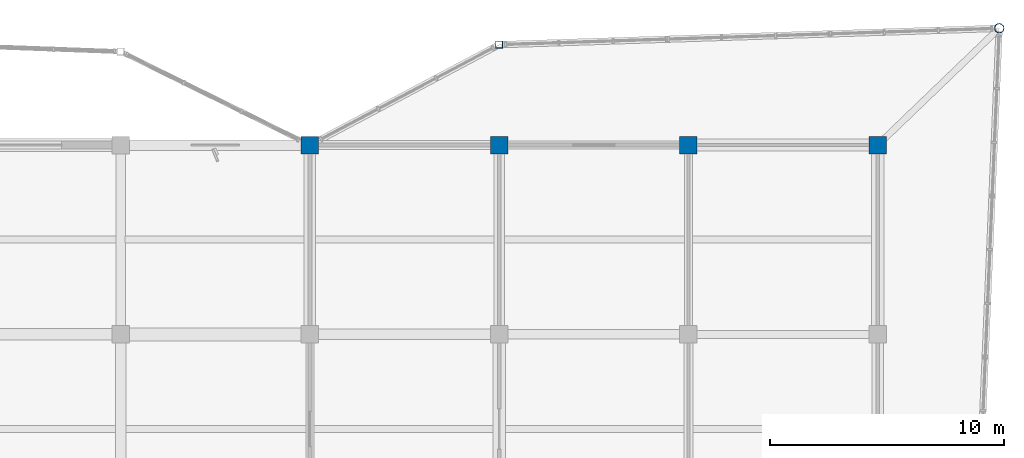
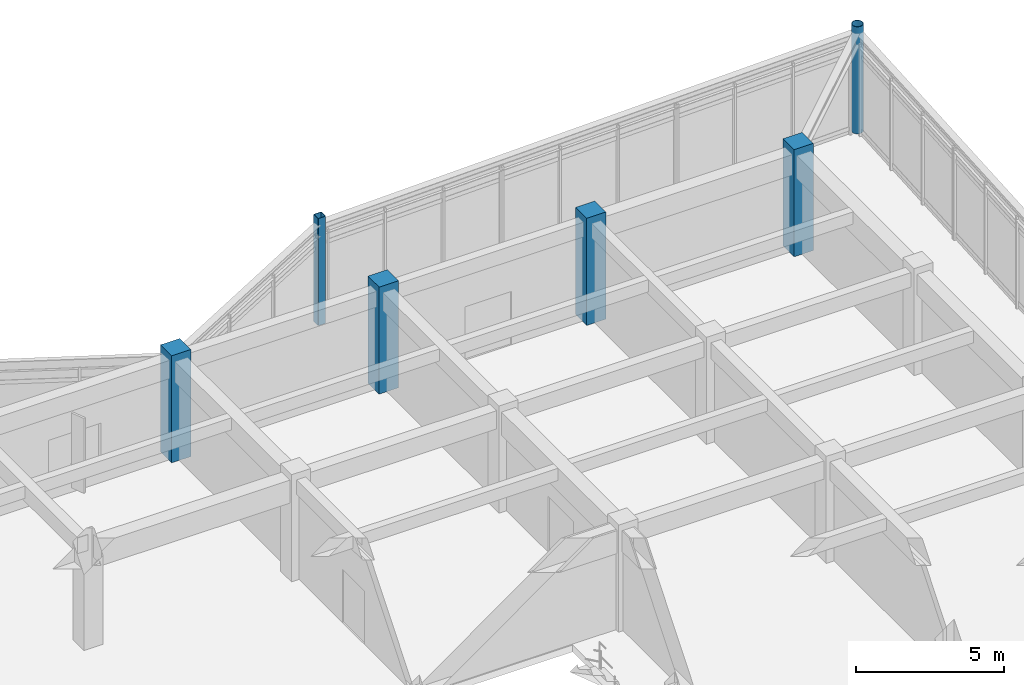
# One storey, part 20 of 89: 6 columns.
"""IFC4 building model written with IfcOpenShell, lengths in metres."""

from ifc_helpers import new_model, si_unit, direction, frame, origin, origin_2d, place, context, subcontext, project, spatial, rectangle, hollow_rectangle, hollow_circle, extrude, material, material_profile, profile_set, type_object, element, save


model = new_model("IFC4")

# Units and contexts
model_context = context("Model", 3, precision=1e-05, world=origin(), true_north=direction((0.0, 1.0)))
body_context = subcontext(model_context, "Body", "Model", "MODEL_VIEW")
ifc_project = project(units=[si_unit("LENGTHUNIT", "METRE"), si_unit("AREAUNIT", "SQUARE_METRE"), si_unit("VOLUMEUNIT", "CUBIC_METRE"), si_unit("PLANEANGLEUNIT", "RADIAN"), si_unit("MASSUNIT", "GRAM", prefix="KILO")], contexts=[model_context])

# Site, building, storey
site_placement = place(None, origin())
site = spatial("IfcSite", under=ifc_project, at=site_placement, CompositionType="ELEMENT")
building_placement = place(site_placement, origin())
building = spatial("IfcBuilding", under=site, at=building_placement, Name="Vaudrelin Polytechnic", CompositionType="ELEMENT")
storey_placement = place(building_placement, frame((0.0, 0.0, 9.68994140625)))
storey = spatial("IfcBuildingStorey", under=building, at=storey_placement, Name="L02", CompositionType="ELEMENT", Elevation=9.68994140625)

# Columns
ifc_material_1 = material(Name="Steel CSA G40.21 350WT", Category="steel")
ifc_material_profile_1 = material_profile(ifc_material_1, hollow_rectangle(XDim=0.304931640625, YDim=0.304931640625, WallThickness=0.0126953125, InnerFilletRadius=0.0126953125, OuterFilletRadius=0.025390625, at=origin_2d()), Name="HSS305x305x12.7")
ifc_profile_set_1 = profile_set([ifc_material_profile_1], Name="Steel CSA G40.21 350WT")
column_type_1 = type_object("IfcColumnType", Name="COL-C-HSS305", PredefinedType="COLUMN", material=ifc_profile_set_1)
column_1_placement = place(storey_placement, frame((153.89990234375, 125.800048828125, 0.0), z_axis=(0.0, 0.0, 1.0), x_axis=(1.0, 0.0, 0.0)))
element("IfcColumn", 1, at=column_1_placement, inside=storey, type_object=column_type_1, Name="Deconstructivist column L02 NE_N", PredefinedType="COLUMN", context=body_context, shape_type="SweptSolid", body=[
    extrude(hollow_rectangle(XDim=0.304931640625, YDim=0.304931640625, WallThickness=0.0126953125, InnerFilletRadius=0.0126953125, OuterFilletRadius=0.025390625, at=origin_2d()), origin(), (0.0, 0.0, 1.0), 4.420166015625),
])
ifc_material_2 = material(Name="Concrete 50 MPa", Category="concrete")
ifc_material_profile_2 = material_profile(ifc_material_2, rectangle(XDim=0.75, YDim=0.75, at=origin_2d()), Name="RC750x750")
ifc_profile_set_2 = profile_set([ifc_material_profile_2], Name="Concrete 50 MPa")
column_type_2 = type_object("IfcColumnType", Name="COL-C-RC750", PredefinedType="COLUMN", material=ifc_profile_set_2)
for number, where, z_axis, x_axis, name in (
    (2, (145.800048828125, 121.5, 0.0), (0.0, 0.0, 1.0), (1.0, 0.0, 0.0), "Column L02 19-16"),
    (3, (153.89990234375, 121.5, 0.0), (0.0, 0.0, 1.0), (1.0, 0.0, 0.0), "Column L02 20-16"),
    (4, (162.0, 121.5, 0.0), (0.0, 0.0, 1.0), (1.0, 0.0, 0.0), "Column L02 21-16"),
    (5, (170.10009765625, 121.5, 0.0), (0.0, 0.0, 1.0), (1.0, 0.0, 0.0), "Column L02 22-16"),
):
    element("IfcColumn", number, at=place(storey_placement, frame(where, z_axis=z_axis, x_axis=x_axis)), inside=storey, type_object=column_type_2, Name=name, PredefinedType="COLUMN", context=body_context, shape_type="SweptSolid", body=[
        extrude(rectangle(XDim=0.75, YDim=0.75, at=origin_2d()), origin(), (0.0, 0.0, 1.0), 4.420166015625),
    ])
ifc_material_profile_3 = material_profile(ifc_material_1, hollow_circle(Radius=0.203125, WallThickness=0.015869140625, at=origin_2d()), Name="CHS406.4x15.9")
ifc_profile_set_3 = profile_set([ifc_material_profile_3], Name="Steel CSA G40.21 350WT")
column_type_3 = type_object("IfcColumnType", Name="COL-C-TR406", PredefinedType="COLUMN", material=ifc_profile_set_3)
column_2_placement = place(storey_placement, frame((175.300048828125, 126.5, 0.0), z_axis=(0.0, 0.0, 1.0), x_axis=(1.0, 0.0, 0.0)))
element("IfcColumn", 6, at=column_2_placement, inside=storey, type_object=column_type_3, Name="Deconstructivist column L02 NE_APX", PredefinedType="COLUMN", context=body_context, shape_type="SweptSolid", body=[
    extrude(hollow_circle(Radius=0.203125, WallThickness=0.015869140625, at=origin_2d()), origin(), (0.0, 0.0, 1.0), 4.420166015625),
])

save(model, "model.ifc")
